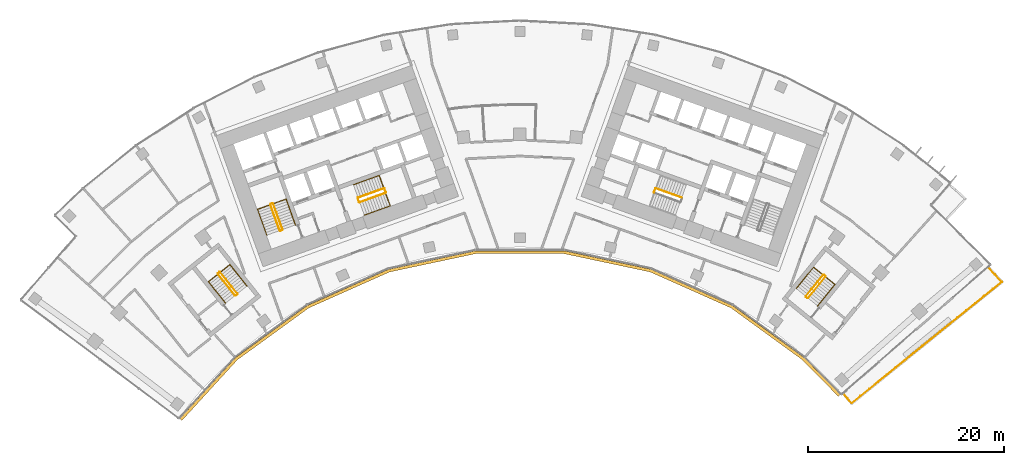
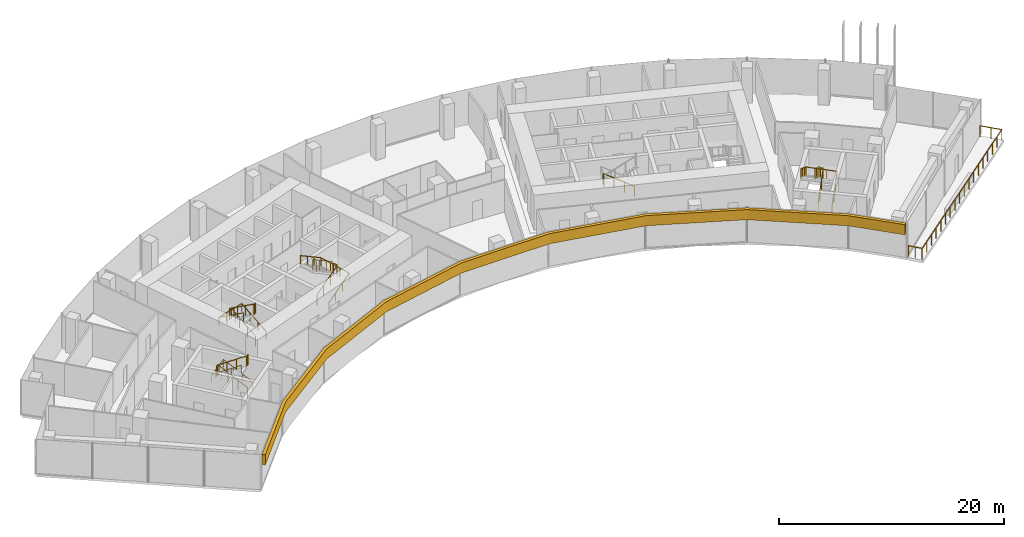
# One storey, part 19 of 20: 14 railings, 1 covering.
"""IFC4 building model written with IfcOpenShell, lengths in metres."""

from ifc_helpers import new_model, si_unit, direction, frame, origin, origin_2d, place, context, subcontext, project, spatial, polyline, circle, outline, extrude, material, layer, layer_set, type_object, element, save


model = new_model("IFC4")

# Units and contexts
model_context = context("Model", 3, precision=1e-05, world=origin(), true_north=direction((0.0, 1.0)))
body_context = subcontext(model_context, "Body", "Model", "MODEL_VIEW")
ifc_project = project(units=[si_unit("LENGTHUNIT", "METRE"), si_unit("AREAUNIT", "SQUARE_METRE"), si_unit("VOLUMEUNIT", "CUBIC_METRE"), si_unit("PLANEANGLEUNIT", "RADIAN"), si_unit("MASSUNIT", "GRAM", prefix="KILO")], contexts=[model_context])

# Site, building, storey
site_placement = place(None, origin())
site = spatial("IfcSite", under=ifc_project, at=site_placement, CompositionType="ELEMENT")
building_placement = place(site_placement, origin())
building = spatial("IfcBuilding", under=site, at=building_placement, Name="Stone Belt Terrace Tower", CompositionType="ELEMENT")
storey_placement = place(building_placement, frame((0.0, 0.0, 170.60009765625)))
storey = spatial("IfcBuildingStorey", under=building, at=storey_placement, Name="L41", CompositionType="ELEMENT", Elevation=170.60009765625)

# Railings
ifc_material_1 = material(Name="Structural steel C345", Category="steel")
railing_type_1 = type_object("IfcRailingType", Name="Stair guard 1100", PredefinedType="GUARDRAIL", material=ifc_material_1)
railing_1_placement = place(storey_placement, frame((-24.2119140625, 45.276123046875, 0.172607421875)))
element("IfcRailing", 1, at=railing_1_placement, inside=storey, type_object=railing_type_1, Name="L41 ST1A stair guard 1", PredefinedType="GUARDRAIL", context=body_context, shape_type="SweptSolid", body=[
    extrude(circle(Radius=0.02392578125, at=origin_2d()), frame((0.0, 0.0, 1.076171875), z_axis=(-0.288228637646, 0.800791768495, 0.525030280985), x_axis=(-0.940908529223, -0.338660803216, 0.0)), (0.0, 0.0, 1.0), 3.289794921875),
    extrude(circle(Radius=0.02392578125, at=origin_2d()), frame((-0.9482421875, 2.634521484375, 2.80322265625), z_axis=(-0.905209821074, 0.424964916, 0.0), x_axis=(-0.424964916, -0.905209821074, 0.0)), (0.0, 0.0, 1.0), 0.070556640625),
    extrude(circle(Radius=0.02392578125, at=origin_2d()), frame((-1.01220703125, 2.66455078125, 2.80322265625), z_axis=(-0.941105063269, -0.338114270461, 0.0), x_axis=(0.338114270461, -0.941105063269, 0.0)), (0.0, 0.0, 1.0), 0.199951171875),
    extrude(circle(Radius=0.02099609375, at=origin_2d()), origin(), (0.0, 0.0, 1.0), 1.052001953125),
    extrude(circle(Radius=0.02099609375, at=origin_2d()), frame((-0.316162109375, 0.878173828125, 0.57568359375)), (0.0, 0.0, 1.0), 1.052001953125),
    extrude(circle(Radius=0.02099609375, at=origin_2d()), frame((-0.632080078125, 1.75634765625, 1.151611328125)), (0.0, 0.0, 1.0), 1.052001953125),
    extrude(circle(Radius=0.02099609375, at=origin_2d()), frame((-0.9482421875, 2.634521484375, 1.727294921875)), (0.0, 0.0, 1.0), 1.052001953125),
    extrude(circle(Radius=0.02099609375, at=origin_2d()), frame((-1.01220703125, 2.66455078125, 1.727294921875)), (0.0, 0.0, 1.0), 1.052001953125),
    extrude(circle(Radius=0.02099609375, at=origin_2d()), frame((-1.200439453125, 2.596923828125, 1.727294921875)), (0.0, 0.0, 1.0), 1.052001953125),
])
railing_2_placement = place(storey_placement, frame((-25.4423828125, 47.80908203125, 2.072509765625)))
element("IfcRailing", 2, at=railing_2_placement, inside=storey, type_object=railing_type_1, Name="L41 ST1A stair guard 2", PredefinedType="GUARDRAIL", context=body_context, shape_type="SweptSolid", body=[
    extrude(circle(Radius=0.02392578125, at=origin_2d()), frame((0.0, 0.0, 1.076171875), z_axis=(0.288228637646, -0.800791768495, 0.525030280985), x_axis=(0.940908529223, 0.338660803216, 0.0)), (0.0, 0.0, 1.0), 3.289794921875),
    extrude(circle(Radius=0.02392578125, at=origin_2d()), frame((0.9482421875, -2.634521484375, 2.80322265625), z_axis=(0.903878284585, -0.427789722475, 0.0), x_axis=(0.427789722475, 0.903878284585, 0.0)), (0.0, 0.0, 1.0), 0.07080078125),
    extrude(circle(Radius=0.02392578125, at=origin_2d()), frame((1.01220703125, -2.664794921875, 2.80322265625), z_axis=(0.940575576748, 0.339584429008, 0.0), x_axis=(-0.339584429008, 0.940575576748, 0.0)), (0.0, 0.0, 1.0), 0.199951171875),
    extrude(circle(Radius=0.02099609375, at=origin_2d()), origin(), (0.0, 0.0, 1.0), 1.052001953125),
    extrude(circle(Radius=0.02099609375, at=origin_2d()), frame((0.316162109375, -0.878173828125, 0.57568359375)), (0.0, 0.0, 1.0), 1.052001953125),
    extrude(circle(Radius=0.02099609375, at=origin_2d()), frame((0.632080078125, -1.75634765625, 1.151611328125)), (0.0, 0.0, 1.0), 1.052001953125),
    extrude(circle(Radius=0.02099609375, at=origin_2d()), frame((0.9482421875, -2.634521484375, 1.727294921875)), (0.0, 0.0, 1.0), 1.052001953125),
    extrude(circle(Radius=0.02099609375, at=origin_2d()), frame((1.01220703125, -2.664794921875, 1.727294921875)), (0.0, 0.0, 1.0), 1.052001953125),
    extrude(circle(Radius=0.02099609375, at=origin_2d()), frame((1.2001953125, -2.596923828125, 1.727294921875)), (0.0, 0.0, 1.0), 1.052001953125),
])
railing_3_placement = place(storey_placement, frame((-16.33837890625, 48.056640625, 0.172607421875)))
element("IfcRailing", 3, at=railing_3_placement, inside=storey, type_object=railing_type_1, Name="L41 ST2A stair guard 1", PredefinedType="GUARDRAIL", context=body_context, shape_type="SweptSolid", body=[
    extrude(circle(Radius=0.02392578125, at=origin_2d()), frame((0.0, 0.0, 1.076171875), z_axis=(0.800808895155, 0.288160591223, 0.52504150989), x_axis=(-0.338583606334, 0.940936311087, 0.0)), (0.0, 0.0, 1.0), 3.289794921875),
    extrude(circle(Radius=0.02392578125, at=origin_2d()), frame((2.634521484375, 0.947998046875, 2.80322265625), z_axis=(0.427789722475, 0.903878284585, 0.0), x_axis=(-0.903878284585, 0.427789722475, 0.0)), (0.0, 0.0, 1.0), 0.07080078125),
    extrude(circle(Radius=0.02392578125, at=origin_2d()), frame((2.664794921875, 1.011962890625, 2.80322265625), z_axis=(-0.338654645739, 0.940910745459, 0.0), x_axis=(-0.940910745459, -0.338654645739, 0.0)), (0.0, 0.0, 1.0), 0.400146484375),
    extrude(circle(Radius=0.02099609375, at=origin_2d()), origin(), (0.0, 0.0, 1.0), 1.052001953125),
    extrude(circle(Radius=0.02099609375, at=origin_2d()), frame((0.878173828125, 0.31591796875, 0.57568359375)), (0.0, 0.0, 1.0), 1.052001953125),
    extrude(circle(Radius=0.02099609375, at=origin_2d()), frame((1.75634765625, 0.632080078125, 1.151611328125)), (0.0, 0.0, 1.0), 1.052001953125),
    extrude(circle(Radius=0.02099609375, at=origin_2d()), frame((2.634521484375, 0.947998046875, 1.727294921875)), (0.0, 0.0, 1.0), 1.052001953125),
    extrude(circle(Radius=0.02099609375, at=origin_2d()), frame((2.664794921875, 1.011962890625, 1.727294921875)), (0.0, 0.0, 1.0), 1.052001953125),
    extrude(circle(Radius=0.02099609375, at=origin_2d()), frame((2.529296875, 1.388427734375, 1.727294921875)), (0.0, 0.0, 1.0), 1.052001953125),
])
railing_4_placement = place(storey_placement, frame((-13.873046875, 49.47509765625, 2.072509765625)))
element("IfcRailing", 4, at=railing_4_placement, inside=storey, type_object=railing_type_1, Name="L41 ST2A stair guard 2", PredefinedType="GUARDRAIL", context=body_context, shape_type="SweptSolid", body=[
    extrude(circle(Radius=0.02392578125, at=origin_2d()), frame((0.0, 0.0, 1.076171875), z_axis=(-0.800808895155, -0.288160591223, 0.52504150989), x_axis=(0.338583606334, -0.940936311087, 0.0)), (0.0, 0.0, 1.0), 3.289794921875),
    extrude(circle(Radius=0.02392578125, at=origin_2d()), frame((-2.634521484375, -0.947998046875, 2.80322265625), z_axis=(-0.427789722475, -0.903878284585, 0.0), x_axis=(0.903878284585, -0.427789722475, 0.0)), (0.0, 0.0, 1.0), 0.07080078125),
    extrude(circle(Radius=0.02392578125, at=origin_2d()), frame((-2.664794921875, -1.011962890625, 2.80322265625), z_axis=(0.338654645739, -0.940910745459, 0.0), x_axis=(0.940910745459, 0.338654645739, 0.0)), (0.0, 0.0, 1.0), 0.400146484375),
    extrude(circle(Radius=0.02099609375, at=origin_2d()), origin(), (0.0, 0.0, 1.0), 1.052001953125),
    extrude(circle(Radius=0.02099609375, at=origin_2d()), frame((-0.878173828125, -0.31591796875, 0.57568359375)), (0.0, 0.0, 1.0), 1.052001953125),
    extrude(circle(Radius=0.02099609375, at=origin_2d()), frame((-1.75634765625, -0.632080078125, 1.151611328125)), (0.0, 0.0, 1.0), 1.052001953125),
    extrude(circle(Radius=0.02099609375, at=origin_2d()), frame((-2.634521484375, -0.947998046875, 1.727294921875)), (0.0, 0.0, 1.0), 1.052001953125),
    extrude(circle(Radius=0.02099609375, at=origin_2d()), frame((-2.664794921875, -1.011962890625, 1.727294921875)), (0.0, 0.0, 1.0), 1.052001953125),
    extrude(circle(Radius=0.02099609375, at=origin_2d()), frame((-2.529296875, -1.388427734375, 1.727294921875)), (0.0, 0.0, 1.0), 1.052001953125),
])
railing_5_placement = place(storey_placement, frame((16.507568359375, 48.527099609375, 0.172607421875)))
element("IfcRailing", 5, at=railing_5_placement, inside=storey, type_object=railing_type_1, Name="L41 ST2B stair guard 1", PredefinedType="GUARDRAIL", context=body_context, shape_type="SweptSolid", body=[
    extrude(circle(Radius=0.02392578125, at=origin_2d()), frame((0.0, 0.0, 1.076171875), z_axis=(-0.800808895155, 0.288160591223, 0.52504150989), x_axis=(-0.338583606334, -0.940936311087, 0.0)), (0.0, 0.0, 1.0), 3.289794921875),
    extrude(circle(Radius=0.02392578125, at=origin_2d()), frame((-2.634521484375, 0.947998046875, 2.80322265625), z_axis=(-0.905209821074, -0.424964916, 0.0), x_axis=(0.424964916, -0.905209821074, 0.0)), (0.0, 0.0, 1.0), 0.070556640625),
    extrude(circle(Radius=0.02392578125, at=origin_2d()), frame((-2.698486328125, 0.91796875, 2.80322265625), z_axis=(-0.338654645739, -0.940910745459, 0.0), x_axis=(0.940910745459, -0.338654645739, 0.0)), (0.0, 0.0, 1.0), 0.400146484375),
    extrude(circle(Radius=0.02099609375, at=origin_2d()), origin(), (0.0, 0.0, 1.0), 1.052001953125),
    extrude(circle(Radius=0.02099609375, at=origin_2d()), frame((-0.878173828125, 0.31591796875, 0.57568359375)), (0.0, 0.0, 1.0), 1.052001953125),
    extrude(circle(Radius=0.02099609375, at=origin_2d()), frame((-1.75634765625, 0.632080078125, 1.151611328125)), (0.0, 0.0, 1.0), 1.052001953125),
    extrude(circle(Radius=0.02099609375, at=origin_2d()), frame((-2.634521484375, 0.947998046875, 1.727294921875)), (0.0, 0.0, 1.0), 1.052001953125),
    extrude(circle(Radius=0.02099609375, at=origin_2d()), frame((-2.698486328125, 0.91796875, 1.727294921875)), (0.0, 0.0, 1.0), 1.052001953125),
    extrude(circle(Radius=0.02099609375, at=origin_2d()), frame((-2.833984375, 0.54150390625, 1.727294921875)), (0.0, 0.0, 1.0), 1.052001953125),
])
railing_6_placement = place(storey_placement, frame((-28.814208984375, 38.734619140625, 0.172607421875)))
element("IfcRailing", 6, at=railing_6_placement, inside=storey, type_object=railing_type_1, Name="L41 ST3A stair guard 1", PredefinedType="GUARDRAIL", context=body_context, shape_type="SweptSolid", body=[
    extrude(circle(Radius=0.02392578125, at=origin_2d()), frame((0.0, 0.0, 1.076171875), z_axis=(-0.530306321799, 0.665665785969, 0.525037395288), x_axis=(-0.782143211408, -0.623098705543, 0.0)), (0.0, 0.0, 1.0), 3.289794921875),
    extrude(circle(Radius=0.02392578125, at=origin_2d()), frame((-1.74462890625, 2.18994140625, 2.80322265625), z_axis=(-0.993883734674, 0.110431526075, 0.0), x_axis=(-0.110431526075, -0.993883734674, 0.0)), (0.0, 0.0, 1.0), 0.07080078125),
    extrude(circle(Radius=0.02392578125, at=origin_2d()), frame((-1.81494140625, 2.19775390625, 2.80322265625), z_axis=(-0.782533463299, -0.622608527742, 0.0), x_axis=(0.622608527742, -0.782533463299, 0.0)), (0.0, 0.0, 1.0), 0.199951171875),
    extrude(circle(Radius=0.02099609375, at=origin_2d()), origin(), (0.0, 0.0, 1.0), 1.052001953125),
    extrude(circle(Radius=0.02099609375, at=origin_2d()), frame((-0.58154296875, 0.72998046875, 0.57568359375)), (0.0, 0.0, 1.0), 1.052001953125),
    extrude(circle(Radius=0.02099609375, at=origin_2d()), frame((-1.1630859375, 1.4599609375, 1.151611328125)), (0.0, 0.0, 1.0), 1.052001953125),
    extrude(circle(Radius=0.02099609375, at=origin_2d()), frame((-1.74462890625, 2.18994140625, 1.727294921875)), (0.0, 0.0, 1.0), 1.052001953125),
    extrude(circle(Radius=0.02099609375, at=origin_2d()), frame((-1.81494140625, 2.19775390625, 1.727294921875)), (0.0, 0.0, 1.0), 1.052001953125),
    extrude(circle(Radius=0.02099609375, at=origin_2d()), frame((-1.971435546875, 2.0732421875, 1.727294921875)), (0.0, 0.0, 1.0), 1.052001953125),
])
railing_7_placement = place(storey_placement, frame((-30.793701171875, 40.737548828125, 2.072509765625)))
element("IfcRailing", 7, at=railing_7_placement, inside=storey, type_object=railing_type_1, Name="L41 ST3A stair guard 2", PredefinedType="GUARDRAIL", context=body_context, shape_type="SweptSolid", body=[
    extrude(circle(Radius=0.02392578125, at=origin_2d()), frame((0.0, 0.0, 1.076171875), z_axis=(0.530359659125, -0.665639588968, 0.525016732659), x_axis=(0.782100716982, 0.62315204284, 0.0)), (0.0, 0.0, 1.0), 3.2900390625),
    extrude(circle(Radius=0.02392578125, at=origin_2d()), frame((1.744873046875, -2.18994140625, 2.80322265625), z_axis=(0.993499272973, -0.113838458361, 0.0), x_axis=(0.113838458361, 0.993499272973, 0.0)), (0.0, 0.0, 1.0), 0.07080078125),
    extrude(circle(Radius=0.02392578125, at=origin_2d()), frame((1.815185546875, -2.197998046875, 2.80322265625), z_axis=(0.781464082609, 0.623950228458, 0.0), x_axis=(-0.623950228458, 0.781464082609, 0.0)), (0.0, 0.0, 1.0), 0.199951171875),
    extrude(circle(Radius=0.02099609375, at=origin_2d()), origin(), (0.0, 0.0, 1.0), 1.052001953125),
    extrude(circle(Radius=0.02099609375, at=origin_2d()), frame((0.58154296875, -0.72998046875, 0.57568359375)), (0.0, 0.0, 1.0), 1.052001953125),
    extrude(circle(Radius=0.02099609375, at=origin_2d()), frame((1.163330078125, -1.4599609375, 1.151611328125)), (0.0, 0.0, 1.0), 1.052001953125),
    extrude(circle(Radius=0.02099609375, at=origin_2d()), frame((1.744873046875, -2.18994140625, 1.727294921875)), (0.0, 0.0, 1.0), 1.052001953125),
    extrude(circle(Radius=0.02099609375, at=origin_2d()), frame((1.815185546875, -2.197998046875, 1.727294921875)), (0.0, 0.0, 1.0), 1.052001953125),
    extrude(circle(Radius=0.02099609375, at=origin_2d()), frame((1.971435546875, -2.0732421875, 1.727294921875)), (0.0, 0.0, 1.0), 1.052001953125),
])
railing_8_placement = place(storey_placement, frame((29.39794921875, 38.281982421875, 0.172607421875)))
element("IfcRailing", 8, at=railing_8_placement, inside=storey, type_object=railing_type_1, Name="L41 ST3B stair guard 1", PredefinedType="GUARDRAIL", context=body_context, shape_type="SweptSolid", body=[
    extrude(circle(Radius=0.02392578125, at=origin_2d()), frame((0.0, 0.0, 1.076171875), z_axis=(0.536393061503, 0.660769759217, 0.525038864158), x_axis=(-0.776391310223, 0.630251166924, 0.0)), (0.0, 0.0, 1.0), 3.289794921875),
    extrude(circle(Radius=0.02392578125, at=origin_2d()), frame((1.7646484375, 2.173828125, 2.80322265625), z_axis=(-0.103251414163, 0.994655289773, 0.0), x_axis=(-0.994655289773, -0.103251414163, 0.0)), (0.0, 0.0, 1.0), 0.071044921875),
    extrude(circle(Radius=0.02392578125, at=origin_2d()), frame((1.75732421875, 2.244384765625, 2.80322265625), z_axis=(-0.776561986372, 0.630040856868, 0.0), x_axis=(-0.630040856868, -0.776561986372, 0.0)), (0.0, 0.0, 1.0), 0.199951171875),
    extrude(circle(Radius=0.02099609375, at=origin_2d()), origin(), (0.0, 0.0, 1.0), 1.052001953125),
    extrude(circle(Radius=0.02099609375, at=origin_2d()), frame((0.588134765625, 0.724609375, 0.57568359375)), (0.0, 0.0, 1.0), 1.052001953125),
    extrude(circle(Radius=0.02099609375, at=origin_2d()), frame((1.176513671875, 1.44921875, 1.151611328125)), (0.0, 0.0, 1.0), 1.052001953125),
    extrude(circle(Radius=0.02099609375, at=origin_2d()), frame((1.7646484375, 2.173828125, 1.727294921875)), (0.0, 0.0, 1.0), 1.052001953125),
    extrude(circle(Radius=0.02099609375, at=origin_2d()), frame((1.75732421875, 2.244384765625, 1.727294921875)), (0.0, 0.0, 1.0), 1.052001953125),
    extrude(circle(Radius=0.02099609375, at=origin_2d()), frame((1.60205078125, 2.370361328125, 1.727294921875)), (0.0, 0.0, 1.0), 1.052001953125),
])
railing_9_placement = place(storey_placement, frame((30.9296875, 40.64501953125, 2.072509765625)))
element("IfcRailing", 9, at=railing_9_placement, inside=storey, type_object=railing_type_1, Name="L41 ST3B stair guard 2", PredefinedType="GUARDRAIL", context=body_context, shape_type="SweptSolid", body=[
    extrude(circle(Radius=0.02392578125, at=origin_2d()), frame((0.0, 0.0, 1.076171875), z_axis=(-0.536366759382, -0.660811565066, 0.525013118792), x_axis=(0.776425942316, -0.630208502084, 0.0)), (0.0, 0.0, 1.0), 3.2900390625),
    extrude(circle(Radius=0.02392578125, at=origin_2d()), frame((-1.7646484375, -2.174072265625, 2.80322265625), z_axis=(0.103606084259, -0.994618408891, 0.0), x_axis=(0.994618408891, 0.103606084259, 0.0)), (0.0, 0.0, 1.0), 0.07080078125),
    extrude(circle(Radius=0.02392578125, at=origin_2d()), frame((-1.75732421875, -2.244384765625, 2.80322265625), z_axis=(0.776561986372, -0.630040856868, 0.0), x_axis=(0.630040856868, 0.776561986372, 0.0)), (0.0, 0.0, 1.0), 0.199951171875),
    extrude(circle(Radius=0.02099609375, at=origin_2d()), origin(), (0.0, 0.0, 1.0), 1.052001953125),
    extrude(circle(Radius=0.02099609375, at=origin_2d()), frame((-0.588134765625, -0.724609375, 0.57568359375)), (0.0, 0.0, 1.0), 1.052001953125),
    extrude(circle(Radius=0.02099609375, at=origin_2d()), frame((-1.176513671875, -1.449462890625, 1.151611328125)), (0.0, 0.0, 1.0), 1.052001953125),
    extrude(circle(Radius=0.02099609375, at=origin_2d()), frame((-1.7646484375, -2.174072265625, 1.727294921875)), (0.0, 0.0, 1.0), 1.052001953125),
    extrude(circle(Radius=0.02099609375, at=origin_2d()), frame((-1.75732421875, -2.244384765625, 1.727294921875)), (0.0, 0.0, 1.0), 1.052001953125),
    extrude(circle(Radius=0.02099609375, at=origin_2d()), frame((-1.60205078125, -2.370361328125, 1.727294921875)), (0.0, 0.0, 1.0), 1.052001953125),
])
railing_type_2 = type_object("IfcRailingType", Name="Stair handrail 900", PredefinedType="HANDRAIL", material=ifc_material_1)
railing_10_placement = place(storey_placement, frame((-22.894775390625, 45.750244140625, 0.172607421875)))
element("IfcRailing", 10, at=railing_10_placement, inside=storey, type_object=railing_type_2, Name="L41 ST1A stair handrail 1", PredefinedType="HANDRAIL", context=body_context, shape_type="SweptSolid", body=[
    extrude(circle(Radius=0.02392578125, at=origin_2d()), frame((0.0, 0.0, 0.8759765625), z_axis=(-0.288160591223, 0.800808895155, 0.52504150989), x_axis=(-0.940936311087, -0.338583606334, 0.0)), (0.0, 0.0, 1.0), 3.289794921875),
    extrude(circle(Radius=0.02392578125, at=origin_2d()), frame((-0.947998046875, 2.634521484375, 2.60302734375), z_axis=(-0.939464517435, -0.338106580597, 0.055591012205), x_axis=(0.338630230244, -0.940919532779, 0.0)), (0.0, 0.0, 1.0), 3.10498046875),
    extrude(circle(Radius=0.02392578125, at=origin_2d()), frame((-3.864990234375, 1.584716796875, 2.77587890625), z_axis=(0.288228637646, -0.800791768495, 0.525030280985), x_axis=(0.940908529223, 0.338660803216, 0.0)), (0.0, 0.0, 1.0), 3.289794921875),
    extrude(circle(Radius=0.02099609375, at=origin_2d()), origin(), (0.0, 0.0, 1.0), 0.851806640625),
    extrude(circle(Radius=0.02099609375, at=origin_2d()), frame((-0.31591796875, 0.878173828125, 0.57568359375)), (0.0, 0.0, 1.0), 0.851806640625),
    extrude(circle(Radius=0.02099609375, at=origin_2d()), frame((-0.632080078125, 1.75634765625, 1.151611328125)), (0.0, 0.0, 1.0), 0.851806640625),
    extrude(circle(Radius=0.02099609375, at=origin_2d()), frame((-0.947998046875, 2.634521484375, 1.727294921875)), (0.0, 0.0, 1.0), 0.851806640625),
    extrude(circle(Radius=0.02099609375, at=origin_2d()), frame((-1.92041015625, 2.28466796875, 1.784912109375)), (0.0, 0.0, 1.0), 0.851806640625),
    extrude(circle(Radius=0.02099609375, at=origin_2d()), frame((-2.892578125, 1.9345703125, 1.84228515625)), (0.0, 0.0, 1.0), 0.851806640625),
    extrude(circle(Radius=0.02099609375, at=origin_2d()), frame((-3.864990234375, 1.584716796875, 1.89990234375)), (0.0, 0.0, 1.0), 0.851806640625),
    extrude(circle(Radius=0.02099609375, at=origin_2d()), frame((-3.548828125, 0.70654296875, 2.4755859375)), (0.0, 0.0, 1.0), 0.851806640625),
    extrude(circle(Radius=0.02099609375, at=origin_2d()), frame((-3.23291015625, -0.171630859375, 3.051513671875)), (0.0, 0.0, 1.0), 0.851806640625),
    extrude(circle(Radius=0.02099609375, at=origin_2d()), frame((-2.916748046875, -1.0498046875, 3.627197265625)), (0.0, 0.0, 1.0), 0.851806640625),
])
railing_11_placement = place(storey_placement, frame((-15.8642578125, 46.7392578125, 0.172607421875)))
element("IfcRailing", 11, at=railing_11_placement, inside=storey, type_object=railing_type_2, Name="L41 ST2A stair handrail 1", PredefinedType="HANDRAIL", context=body_context, shape_type="SweptSolid", body=[
    extrude(circle(Radius=0.02392578125, at=origin_2d()), frame((0.0, 0.0, 0.8759765625), z_axis=(0.800791768495, 0.288228637646, 0.525030280985), x_axis=(-0.338660803216, 0.940908529223, 0.0)), (0.0, 0.0, 1.0), 3.289794921875),
    extrude(circle(Radius=0.02392578125, at=origin_2d()), frame((2.634521484375, 0.9482421875, 2.60302734375), z_axis=(-0.338160254016, 0.939637778147, 0.052234935458), x_axis=(-0.940922302781, -0.338622533404, 0.0)), (0.0, 0.0, 1.0), 3.304443359375),
    extrude(circle(Radius=0.02392578125, at=origin_2d()), frame((1.51708984375, 4.05322265625, 2.77587890625), z_axis=(-0.800791768495, -0.288228637646, 0.525030280985), x_axis=(0.338660803216, -0.940908529223, 0.0)), (0.0, 0.0, 1.0), 3.289794921875),
    extrude(circle(Radius=0.02099609375, at=origin_2d()), origin(), (0.0, 0.0, 1.0), 0.851806640625),
    extrude(circle(Radius=0.02099609375, at=origin_2d()), frame((0.878173828125, 0.316162109375, 0.57568359375)), (0.0, 0.0, 1.0), 0.851806640625),
    extrude(circle(Radius=0.02099609375, at=origin_2d()), frame((1.75634765625, 0.632080078125, 1.151611328125)), (0.0, 0.0, 1.0), 0.851806640625),
    extrude(circle(Radius=0.02099609375, at=origin_2d()), frame((2.634521484375, 0.9482421875, 1.727294921875)), (0.0, 0.0, 1.0), 0.851806640625),
    extrude(circle(Radius=0.02099609375, at=origin_2d()), frame((2.261962890625, 1.983154296875, 1.784912109375)), (0.0, 0.0, 1.0), 0.851806640625),
    extrude(circle(Radius=0.02099609375, at=origin_2d()), frame((1.8896484375, 3.018310546875, 1.84228515625)), (0.0, 0.0, 1.0), 0.851806640625),
    extrude(circle(Radius=0.02099609375, at=origin_2d()), frame((1.51708984375, 4.05322265625, 1.89990234375)), (0.0, 0.0, 1.0), 0.851806640625),
    extrude(circle(Radius=0.02099609375, at=origin_2d()), frame((0.638916015625, 3.737060546875, 2.4755859375)), (0.0, 0.0, 1.0), 0.851806640625),
    extrude(circle(Radius=0.02099609375, at=origin_2d()), frame((-0.2392578125, 3.421142578125, 3.051513671875)), (0.0, 0.0, 1.0), 0.851806640625),
    extrude(circle(Radius=0.02099609375, at=origin_2d()), frame((-1.117431640625, 3.10498046875, 3.627197265625)), (0.0, 0.0, 1.0), 0.851806640625),
])
railing_12_placement = place(storey_placement, frame((-27.836669921875, 39.513427734375, 0.172607421875)))
element("IfcRailing", 12, at=railing_12_placement, inside=storey, type_object=railing_type_2, Name="L41 ST3A stair handrail 1", PredefinedType="HANDRAIL", context=body_context, shape_type="SweptSolid", body=[
    extrude(circle(Radius=0.02392578125, at=origin_2d()), frame((0.0, 0.0, 0.8759765625), z_axis=(-0.530306321799, 0.665665785969, 0.525037395288), x_axis=(-0.782143211408, -0.623098705543, 0.0)), (0.0, 0.0, 1.0), 3.289794921875),
    extrude(circle(Radius=0.02392578125, at=origin_2d()), frame((-1.74462890625, 2.18994140625, 2.60302734375), z_axis=(-0.780661215256, -0.62191806513, 0.061530376721), x_axis=(0.623098705543, -0.782143211408, 0.0)), (0.0, 0.0, 1.0), 2.80517578125),
    extrude(circle(Radius=0.02392578125, at=origin_2d()), frame((-3.9345703125, 0.4453125, 2.77587890625), z_axis=(0.530306321799, -0.665665785969, 0.525037395288), x_axis=(0.782143211408, 0.623098705543, 0.0)), (0.0, 0.0, 1.0), 3.289794921875),
    extrude(circle(Radius=0.02099609375, at=origin_2d()), origin(), (0.0, 0.0, 1.0), 0.851806640625),
    extrude(circle(Radius=0.02099609375, at=origin_2d()), frame((-0.58154296875, 0.72998046875, 0.57568359375)), (0.0, 0.0, 1.0), 0.851806640625),
    extrude(circle(Radius=0.02099609375, at=origin_2d()), frame((-1.1630859375, 1.4599609375, 1.151611328125)), (0.0, 0.0, 1.0), 0.851806640625),
    extrude(circle(Radius=0.02099609375, at=origin_2d()), frame((-1.74462890625, 2.18994140625, 1.727294921875)), (0.0, 0.0, 1.0), 0.851806640625),
    extrude(circle(Radius=0.02099609375, at=origin_2d()), frame((-2.474609375, 1.6083984375, 1.784912109375)), (0.0, 0.0, 1.0), 0.851806640625),
    extrude(circle(Radius=0.02099609375, at=origin_2d()), frame((-3.20458984375, 1.02685546875, 1.84228515625)), (0.0, 0.0, 1.0), 0.851806640625),
    extrude(circle(Radius=0.02099609375, at=origin_2d()), frame((-3.9345703125, 0.4453125, 1.89990234375)), (0.0, 0.0, 1.0), 0.851806640625),
    extrude(circle(Radius=0.02099609375, at=origin_2d()), frame((-3.35302734375, -0.28466796875, 2.4755859375)), (0.0, 0.0, 1.0), 0.851806640625),
    extrude(circle(Radius=0.02099609375, at=origin_2d()), frame((-2.771484375, -1.0146484375, 3.051513671875)), (0.0, 0.0, 1.0), 0.851806640625),
    extrude(circle(Radius=0.02099609375, at=origin_2d()), frame((-2.18994140625, -1.74462890625, 3.627197265625)), (0.0, 0.0, 1.0), 0.851806640625),
])
railing_13_placement = place(storey_placement, frame((30.36865234375, 37.494140625, 0.172607421875)))
element("IfcRailing", 13, at=railing_13_placement, inside=storey, type_object=railing_type_2, Name="L41 ST3B stair handrail 1", PredefinedType="HANDRAIL", context=body_context, shape_type="SweptSolid", body=[
    extrude(circle(Radius=0.02392578125, at=origin_2d()), frame((0.0, 0.0, 0.8759765625), z_axis=(0.536366759382, 0.660811565066, 0.525013118792), x_axis=(-0.776425942316, 0.630208502084, 0.0)), (0.0, 0.0, 1.0), 3.2900390625),
    extrude(circle(Radius=0.02392578125, at=origin_2d()), frame((1.7646484375, 2.174072265625, 2.60302734375), z_axis=(-0.774954966459, 0.629014542119, 0.061526463929), x_axis=(-0.630208502084, -0.776425942316, 0.0)), (0.0, 0.0, 1.0), 2.805419921875),
    extrude(circle(Radius=0.02392578125, at=origin_2d()), frame((-0.409423828125, 3.938720703125, 2.77587890625), z_axis=(-0.536366759382, -0.660811565066, 0.525013118792), x_axis=(0.776425942316, -0.630208502084, 0.0)), (0.0, 0.0, 1.0), 3.2900390625),
    extrude(circle(Radius=0.02099609375, at=origin_2d()), origin(), (0.0, 0.0, 1.0), 0.851806640625),
    extrude(circle(Radius=0.02099609375, at=origin_2d()), frame((0.588134765625, 0.724609375, 0.57568359375)), (0.0, 0.0, 1.0), 0.851806640625),
    extrude(circle(Radius=0.02099609375, at=origin_2d()), frame((1.176513671875, 1.449462890625, 1.151611328125)), (0.0, 0.0, 1.0), 0.851806640625),
    extrude(circle(Radius=0.02099609375, at=origin_2d()), frame((1.7646484375, 2.174072265625, 1.727294921875)), (0.0, 0.0, 1.0), 0.851806640625),
    extrude(circle(Radius=0.02099609375, at=origin_2d()), frame((1.0400390625, 2.76220703125, 1.784912109375)), (0.0, 0.0, 1.0), 0.851806640625),
    extrude(circle(Radius=0.02099609375, at=origin_2d()), frame((0.315185546875, 3.3505859375, 1.84228515625)), (0.0, 0.0, 1.0), 0.851806640625),
    extrude(circle(Radius=0.02099609375, at=origin_2d()), frame((-0.409423828125, 3.938720703125, 1.89990234375)), (0.0, 0.0, 1.0), 0.851806640625),
    extrude(circle(Radius=0.02099609375, at=origin_2d()), frame((-0.99755859375, 3.214111328125, 2.4755859375)), (0.0, 0.0, 1.0), 0.851806640625),
    extrude(circle(Radius=0.02099609375, at=origin_2d()), frame((-1.5859375, 2.4892578125, 3.051513671875)), (0.0, 0.0, 1.0), 0.851806640625),
    extrude(circle(Radius=0.02099609375, at=origin_2d()), frame((-2.174072265625, 1.7646484375, 3.627197265625)), (0.0, 0.0, 1.0), 0.851806640625),
])
ifc_material_2 = material(Name="Stainless steel AISI 304", Category="steel")
railing_type_3 = type_object("IfcRailingType", Name="Terrace guard 1200", PredefinedType="GUARDRAIL", material=ifc_material_2)
railing_14_placement = place(storey_placement, frame((33.011474609375, 28.5361328125, 0.0)))
element("IfcRailing", 14, at=railing_14_placement, inside=storey, type_object=railing_type_3, Name="GUARD L41 1.1", PredefinedType="GUARDRAIL", context=body_context, shape_type="SweptSolid", body=[
    extrude(circle(Radius=0.02490234375, at=origin_2d()), frame((0.0, 0.0, 1.1748046875), z_axis=(0.649024123802, -0.760767827082, 0.0), x_axis=(0.760767827082, 0.649024123802, 0.0)), (0.0, 0.0, 1.0), 1.286865234375),
    extrude(circle(Radius=0.02490234375, at=origin_2d()), frame((0.835205078125, -0.97900390625, 1.1748046875), z_axis=(0.777643696458, 0.628705242032, 0.0), x_axis=(-0.628705242032, 0.777643696458, 0.0)), (0.0, 0.0, 1.0), 19.693359375),
    extrude(circle(Radius=0.02490234375, at=origin_2d()), frame((16.149658203125, 11.40234375, 1.1748046875), z_axis=(-0.679791841745, 0.733405107629, 0.0), x_axis=(-0.733405107629, -0.679791841745, 0.0)), (0.0, 0.0, 1.0), 2.003662109375),
    extrude(circle(Radius=0.02001953125, at=origin_2d()), origin(), (0.0, 0.0, 1.0), 1.14990234375),
    extrude(circle(Radius=0.02001953125, at=origin_2d()), frame((0.41748046875, -0.489501953125, 0.0)), (0.0, 0.0, 1.0), 1.14990234375),
    extrude(circle(Radius=0.02001953125, at=origin_2d()), frame((0.835205078125, -0.97900390625, 0.0)), (0.0, 0.0, 1.0), 1.14990234375),
    extrude(circle(Radius=0.02001953125, at=origin_2d()), frame((1.736083984375, -0.250732421875, 0.0)), (0.0, 0.0, 1.0), 1.14990234375),
    extrude(circle(Radius=0.02001953125, at=origin_2d()), frame((2.636962890625, 0.4775390625, 0.0)), (0.0, 0.0, 1.0), 1.14990234375),
    extrude(circle(Radius=0.02001953125, at=origin_2d()), frame((3.537841796875, 1.2060546875, 0.0)), (0.0, 0.0, 1.0), 1.14990234375),
    extrude(circle(Radius=0.02001953125, at=origin_2d()), frame((4.438720703125, 1.934326171875, 0.0)), (0.0, 0.0, 1.0), 1.14990234375),
    extrude(circle(Radius=0.02001953125, at=origin_2d()), frame((5.33935546875, 2.66259765625, 0.0)), (0.0, 0.0, 1.0), 1.14990234375),
    extrude(circle(Radius=0.02001953125, at=origin_2d()), frame((6.240234375, 3.390869140625, 0.0)), (0.0, 0.0, 1.0), 1.14990234375),
    extrude(circle(Radius=0.02001953125, at=origin_2d()), frame((7.14111328125, 4.119140625, 0.0)), (0.0, 0.0, 1.0), 1.14990234375),
    extrude(circle(Radius=0.02001953125, at=origin_2d()), frame((8.0419921875, 4.847412109375, 0.0)), (0.0, 0.0, 1.0), 1.14990234375),
    extrude(circle(Radius=0.02001953125, at=origin_2d()), frame((8.94287109375, 5.575927734375, 0.0)), (0.0, 0.0, 1.0), 1.14990234375),
    extrude(circle(Radius=0.02001953125, at=origin_2d()), frame((9.84375, 6.30419921875, 0.0)), (0.0, 0.0, 1.0), 1.14990234375),
    extrude(circle(Radius=0.02001953125, at=origin_2d()), frame((10.74462890625, 7.032470703125, 0.0)), (0.0, 0.0, 1.0), 1.14990234375),
    extrude(circle(Radius=0.02001953125, at=origin_2d()), frame((11.6455078125, 7.7607421875, 0.0)), (0.0, 0.0, 1.0), 1.14990234375),
    extrude(circle(Radius=0.02001953125, at=origin_2d()), frame((12.546142578125, 8.489013671875, 0.0)), (0.0, 0.0, 1.0), 1.14990234375),
    extrude(circle(Radius=0.02001953125, at=origin_2d()), frame((13.447021484375, 9.21728515625, 0.0)), (0.0, 0.0, 1.0), 1.14990234375),
    extrude(circle(Radius=0.02001953125, at=origin_2d()), frame((14.347900390625, 9.94580078125, 0.0)), (0.0, 0.0, 1.0), 1.14990234375),
    extrude(circle(Radius=0.02001953125, at=origin_2d()), frame((15.248779296875, 10.674072265625, 0.0)), (0.0, 0.0, 1.0), 1.14990234375),
    extrude(circle(Radius=0.02001953125, at=origin_2d()), frame((16.149658203125, 11.40234375, 0.0)), (0.0, 0.0, 1.0), 1.14990234375),
    extrude(circle(Radius=0.02001953125, at=origin_2d()), frame((15.46875, 12.13720703125, 0.0)), (0.0, 0.0, 1.0), 1.14990234375),
    extrude(circle(Radius=0.02001953125, at=origin_2d()), frame((14.78759765625, 12.871826171875, 0.0)), (0.0, 0.0, 1.0), 1.14990234375),
])

# Covering
ifc_material_3 = material(Name="Terracotta coloured glazed ceramic", Category="masonry")
ifc_layer = layer(ifc_material_3, 0.300048828125)
ifc_layer_set = layer_set([ifc_layer], Name="Terracotta spandrel band 300 x 1100")
covering_type = type_object("IfcCoveringType", Name="Terracotta spandrel band 300 x 1100", PredefinedType="CLADDING", material=ifc_layer_set)
covering_placement = place(storey_placement, frame((0.0, 0.0, 2.699951171875)))
element("IfcCovering", 15, at=covering_placement, inside=storey, type_object=covering_type, Name="BAND L41", PredefinedType="CLADDING", context=body_context, shape_type="SweptSolid", body=[
    extrude(outline(polyline([(-34.688720703125, 25.99951171875), (-29.0068359375, 32.21435546875), (-21.674560546875, 37.54150390625), (-13.395751953125, 41.2275390625), (-4.53125, 43.11181640625), (4.53125, 43.11181640625), (13.395751953125, 41.2275390625), (21.674560546875, 37.54150390625), (29.009033203125, 32.212646484375), (32.703857421875, 28.455322265625), (32.489990234375, 28.244873046875), (28.8125, 31.984619140625), (21.523681640625, 37.2802734375), (13.302490234375, 40.940673828125), (4.499755859375, 42.811767578125), (-4.499755859375, 42.811767578125), (-13.302490234375, 40.940673828125), (-21.523681640625, 37.2802734375), (-28.805908203125, 31.989501953125), (-34.46728515625, 25.797119140625), (-34.688720703125, 25.99951171875)])), origin(), (0.0, 0.0, 1.0), 1.099853515625),
])

save(model, "model.ifc")
